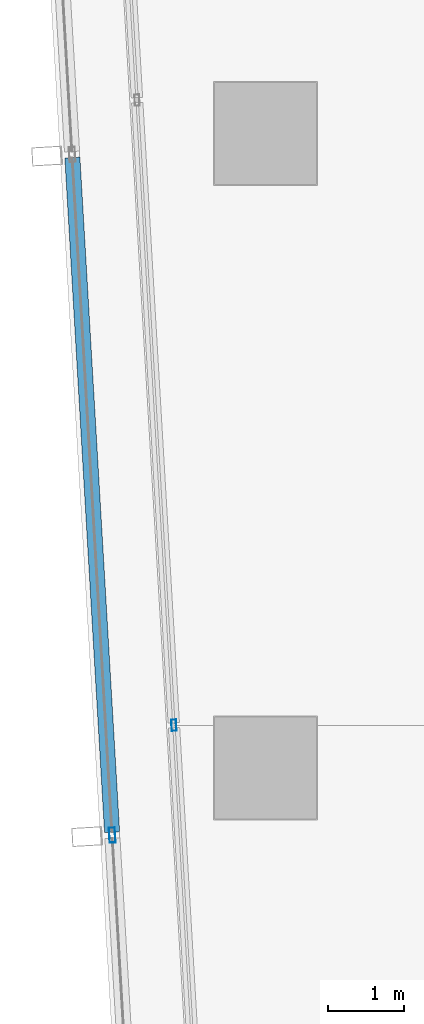
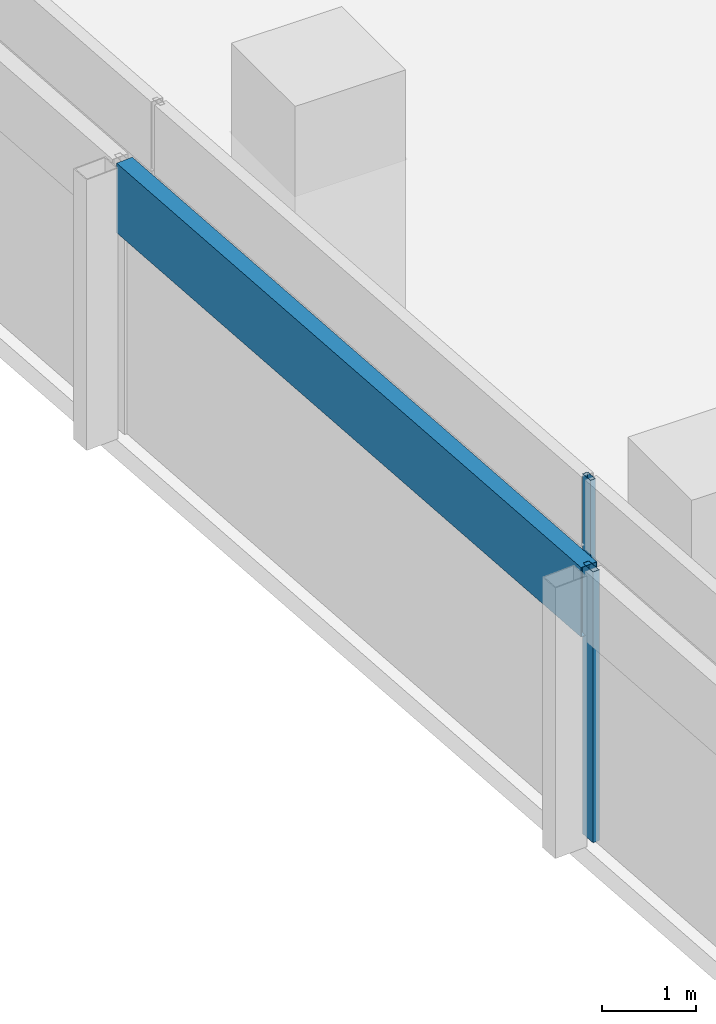
# One storey, part 5 of 40: 3 members, 2 elements without a shape of their own.
"""IFC4 building model written with IfcOpenShell, lengths in metres."""

from ifc_helpers import new_model, si_unit, direction, frame, origin, origin_2d, place, context, subcontext, project, spatial, hollow_rectangle, extrude, material, material_profile, profile_set, type_object, element, aggregate, save


model = new_model("IFC4")

# Units and contexts
model_context = context("Model", 3, precision=1e-05, world=origin(), true_north=direction((0.0, 1.0)))
body_context = subcontext(model_context, "Body", "Model", "MODEL_VIEW")
ifc_project = project(units=[si_unit("LENGTHUNIT", "METRE"), si_unit("AREAUNIT", "SQUARE_METRE"), si_unit("VOLUMEUNIT", "CUBIC_METRE"), si_unit("PLANEANGLEUNIT", "RADIAN"), si_unit("MASSUNIT", "GRAM", prefix="KILO")], contexts=[model_context])

# Site, building, storey
site_placement = place(None, origin())
site = spatial("IfcSite", under=ifc_project, at=site_placement, CompositionType="ELEMENT")
building_placement = place(site_placement, origin())
building = spatial("IfcBuilding", under=site, at=building_placement, Name="Rekha Terrace Tower", CompositionType="ELEMENT")
storey_placement = place(building_placement, frame((0.0, 0.0, 213.949951171875)))
storey = spatial("IfcBuildingStorey", under=building, at=storey_placement, Name="L54", CompositionType="ELEMENT", Elevation=213.949951171875)

# Curtain wall, member
ifc_material_1 = material(Name="Aluminium framing", Category="aluminium")
curtain_wall_type_1 = type_object("IfcCurtainWallType", Name="CW1 double skin inner glazing", PredefinedType="USERDEFINED", material=ifc_material_1)
curtain_wall_1_placement = place(storey_placement, origin())
curtain_wall_1 = element("IfcCurtainWall", 1, at=curtain_wall_1_placement, inside=storey, type_object=curtain_wall_type_1, Name="CW1 double skin inner glazing", ObjectType="DOUBLE SKIN INNER GLAZING", PredefinedType="USERDEFINED")
ifc_material_2 = material(Name="Aluminium mullion section", Category="aluminium")
ifc_material_profile_1 = material_profile(ifc_material_2, hollow_rectangle(XDim=0.06494140625, YDim=0.14990234375, WallThickness=0.00390625, at=origin_2d()), Name="AL RHS 65x150")
ifc_profile_set_1 = profile_set([ifc_material_profile_1], Name="Aluminium mullion section")
member_type_1 = type_object("IfcMemberType", Name="CW1 mullion RHS 65 x 150", PredefinedType="MULLION", material=ifc_profile_set_1)
member_1_placement = place(storey_placement, frame((7.18701171875, 25.76611328125, 0.0), z_axis=(0.0, 0.0, 1.0), x_axis=(0.998271839269, 0.058765082516, 0.0)))
member_1 = element("IfcMember", 2, at=member_1_placement, type_object=member_type_1, Name="CW1 mullion 3", PredefinedType="MULLION", context=body_context, shape_type="SweptSolid", body=[
    extrude(hollow_rectangle(XDim=0.06494140625, YDim=0.14990234375, WallThickness=0.00390625, at=origin_2d()), origin(), (0.0, 0.0, 1.0), 3.5),
])
aggregate(curtain_wall_1, [member_1])

# Curtain wall, members
curtain_wall_type_2 = type_object("IfcCurtainWallType", Name="CW2 double skin outer glazing", PredefinedType="USERDEFINED", material=ifc_material_1)
curtain_wall_2_placement = place(storey_placement, origin())
curtain_wall_2 = element("IfcCurtainWall", 3, at=curtain_wall_2_placement, inside=storey, type_object=curtain_wall_type_2, Name="CW2 double skin outer glazing", ObjectType="DOUBLE SKIN OUTER GLAZING", PredefinedType="USERDEFINED")
ifc_material_profile_2 = material_profile(ifc_material_2, hollow_rectangle(XDim=0.080078125, YDim=0.199951171875, WallThickness=0.00390625, at=origin_2d()), Name="AL RHS 80x200")
ifc_profile_set_2 = profile_set([ifc_material_profile_2], Name="Aluminium mullion section")
member_type_2 = type_object("IfcMemberType", Name="CW2 mullion RHS 80 x 200", PredefinedType="MULLION", material=ifc_profile_set_2)
member_2_placement = place(storey_placement, frame((6.370849609375, 24.31201171875, 0.0), z_axis=(0.0, 0.0, 1.0), x_axis=(0.99827183927, 0.058765082499, 0.0)))
member_2 = element("IfcMember", 4, at=member_2_placement, type_object=member_type_2, Name="CW2 mullion 3", PredefinedType="MULLION", context=body_context, shape_type="SweptSolid", body=[
    extrude(hollow_rectangle(XDim=0.080078125, YDim=0.199951171875, WallThickness=0.00390625, at=origin_2d()), origin(), (0.0, 0.0, 1.0), 3.5),
])
ifc_material_3 = material(Name="Insulated aluminium spandrel box", Category="aluminium")
ifc_material_profile_3 = material_profile(ifc_material_3, hollow_rectangle(XDim=0.199951171875, YDim=0.89990234375, WallThickness=0.0029296875, at=origin_2d()), Name="AL SPANDREL BOX 200x900")
ifc_profile_set_3 = profile_set([ifc_material_profile_3], Name="Insulated aluminium spandrel box")
member_type_3 = type_object("IfcMemberType", Name="CW2 spandrel transom 200 x 900", PredefinedType="USERDEFINED", material=ifc_profile_set_3)
member_3_placement = place(storey_placement, frame((5.843017578125, 33.27978515625, 3.050048828125), z_axis=(0.058773229711, -0.998271359636, 0.0), x_axis=(0.998271359636, 0.058773229711, 0.0)))
member_3 = element("IfcMember", 5, at=member_3_placement, type_object=member_type_3, Name="CW2 spandrel transom 2", ObjectType="TRANSOM", PredefinedType="USERDEFINED", context=body_context, shape_type="SweptSolid", body=[
    extrude(hollow_rectangle(XDim=0.199951171875, YDim=0.89990234375, WallThickness=0.0029296875, at=origin_2d()), origin(), (0.0, 0.0, 1.0), 8.943359375),
])
aggregate(curtain_wall_2, [member_2, member_3])

save(model, "model.ifc")
